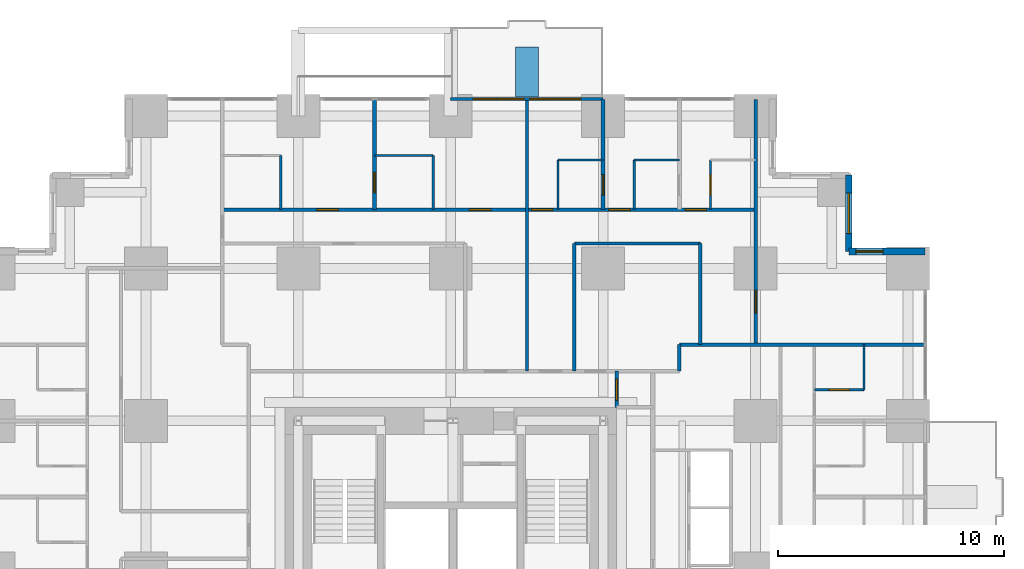
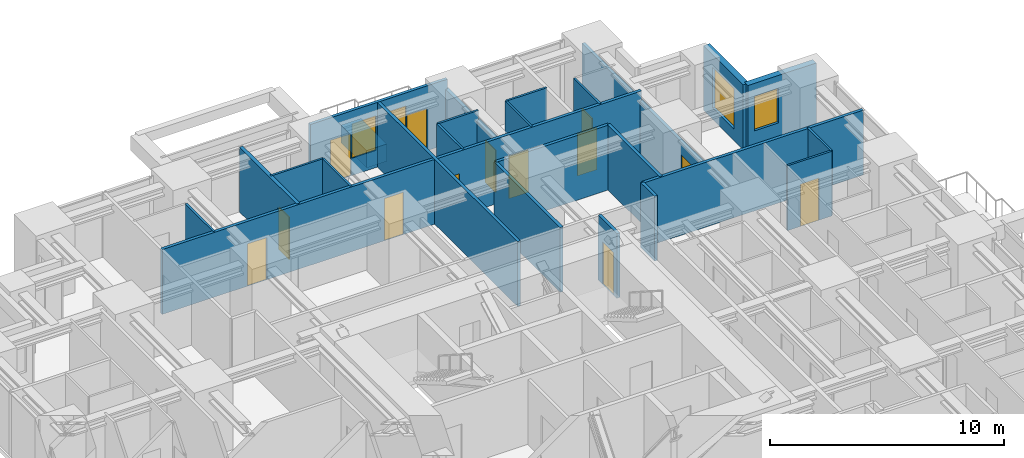
# One storey, part 13 of 15: 25 walls, 13 doors, 4 windows, 17 openings.
"""IFC4 building model written with IfcOpenShell, lengths in metres."""

from ifc_helpers import new_model, si_unit, direction, frame, frame_2d, origin, place, context, subcontext, project, spatial, rectangle, extrude, material, layer, layer_set, type_object, element, fill, save


model = new_model("IFC4")

# Units and contexts
model_context = context("Model", 3, precision=1e-05, world=origin(), true_north=direction((0.0, 1.0)))
body_context = subcontext(model_context, "Body", "Model", "MODEL_VIEW")
ifc_project = project(units=[si_unit("LENGTHUNIT", "METRE"), si_unit("AREAUNIT", "SQUARE_METRE"), si_unit("VOLUMEUNIT", "CUBIC_METRE"), si_unit("PLANEANGLEUNIT", "RADIAN"), si_unit("MASSUNIT", "GRAM", prefix="KILO")], contexts=[model_context])

# Site, building, storey
site_placement = place(None, origin())
site = spatial("IfcSite", under=ifc_project, at=site_placement, CompositionType="ELEMENT")
building_placement = place(site_placement, origin())
building = spatial("IfcBuilding", under=site, at=building_placement, Name="Nyansa Garden Tower", CompositionType="ELEMENT")
storey_placement = place(building_placement, frame((0.0, 0.0, 36.0)))
storey = spatial("IfcBuildingStorey", under=building, at=storey_placement, Name="L09", CompositionType="ELEMENT", Elevation=36.0)

# Wall, opening, door
ifc_material_1 = material(Name="Dense blockwork, plastered both sides, 55 dB", Category="masonry")
ifc_layer_1 = layer(ifc_material_1, 0.175048828125)
ifc_layer_set_1 = layer_set([ifc_layer_1], Name="Acoustic party wall PW175")
wall_type_1 = type_object("IfcWallType", Name="Acoustic party wall PW175", PredefinedType="PARTITIONING", material=ifc_layer_set_1)
wall_1_placement = place(storey_placement, frame((16.875, 36.35009765625, 0.0), z_axis=(0.0, 0.0, 1.0), x_axis=(0.0, 1.0, 0.0)))
wall_1 = element("IfcWall", 1, at=wall_1_placement, inside=storey, type_object=wall_type_1, Name="Party wall", PredefinedType="PARTITIONING", context=body_context, shape_type="SweptSolid", body=[
    extrude(rectangle(XDim=4.8837890625, YDim=0.175048828125, at=frame_2d((2.44189453125, 0.0))), origin(), (0.0, 0.0, 1.0), 3.375),
])
opening_1_placement = place(wall_1_placement, frame((0.75, 0.0, 0.0)))
opening_1 = element("IfcOpeningElement", 2, at=opening_1_placement, cuts=wall_1, Name="Opening D02", PredefinedType="OPENING", context=body_context, shape_type="SweptSolid", body=[
    extrude(rectangle(XDim=0.89990234375, YDim=2.199951171875, at=frame_2d((0.449951171875, 1.10009765625))), frame((0.0, 0.097412109375, 0.0), z_axis=(0.0, -1.0, 0.0), x_axis=(1.0, 0.0, 0.0)), (0.0, 0.0, 1.0), 0.195068359375),
])
ifc_material_2 = material(Name="Timber flush door", Category="wood")
door_type_1 = type_object("IfcDoorType", Name="En-suite door D02 900x2200", OperationType="SINGLE_SWING_RIGHT", PredefinedType="DOOR", material=ifc_material_2)
door_1_placement = place(opening_1_placement, origin())
door_1 = element("IfcDoor", 3, at=door_1_placement, inside=storey, type_object=door_type_1, Name="Door L09-065", OperationType="SINGLE_SWING_RIGHT", OverallHeight=2.199951171875, OverallWidth=0.89990234375, PredefinedType="DOOR", context=body_context, shape_type="SweptSolid", body=[
    extrude(rectangle(XDim=0.89990234375, YDim=2.199951171875, at=frame_2d((0.449951171875, 1.10009765625))), frame((0.0, 0.02490234375, 0.0), z_axis=(0.0, -1.0, 0.0), x_axis=(1.0, 0.0, 0.0)), (0.0, 0.0, 1.0), 0.050048828125),
])
fill(opening_1, door_1)

wall_2_placement = place(storey_placement, frame((27.0, 36.35009765625, 0.0), z_axis=(0.0, 0.0, 1.0), x_axis=(0.0, 1.0, 0.0)))
wall_2 = element("IfcWall", 4, at=wall_2_placement, inside=storey, type_object=wall_type_1, Name="Party wall", PredefinedType="PARTITIONING", context=body_context, shape_type="SweptSolid", body=[
    extrude(rectangle(XDim=4.8837890625, YDim=0.175048828125, at=frame_2d((2.44189453125, 0.0))), origin(), (0.0, 0.0, 1.0), 2.876953125),
])
opening_2_placement = place(wall_2_placement, frame((0.64990234375, 0.0, 0.0)))
opening_2 = element("IfcOpeningElement", 5, at=opening_2_placement, cuts=wall_2, Name="Opening D02", PredefinedType="OPENING", context=body_context, shape_type="SweptSolid", body=[
    extrude(rectangle(XDim=0.89990234375, YDim=2.199951171875, at=frame_2d((0.449951171875, 1.10009765625))), frame((0.0, 0.097412109375, 0.0), z_axis=(0.0, -1.0, 0.0), x_axis=(1.0, 0.0, 0.0)), (0.0, 0.0, 1.0), 0.195068359375),
])
door_2_placement = place(opening_2_placement, origin())
door_2 = element("IfcDoor", 6, at=door_2_placement, inside=storey, type_object=door_type_1, Name="Door L09-060", OperationType="SINGLE_SWING_RIGHT", OverallHeight=2.199951171875, OverallWidth=0.89990234375, PredefinedType="DOOR", context=body_context, shape_type="SweptSolid", body=[
    extrude(rectangle(XDim=0.89990234375, YDim=2.199951171875, at=frame_2d((0.449951171875, 1.10009765625))), frame((0.0, 0.02490234375, 0.0), z_axis=(0.0, -1.0, 0.0), x_axis=(1.0, 0.0, 0.0)), (0.0, 0.0, 1.0), 0.050048828125),
])
fill(opening_2, door_2)

# Wall, openings, doors, windows
ifc_material_3 = material(Name="Black aluminium framed glazed screen", Category="aluminium")
ifc_layer_2 = layer(ifc_material_3, 0.14990234375)
ifc_layer_set_2 = layer_set([ifc_layer_2], Name="Balcony screen wall BW150")
wall_type_2 = type_object("IfcWallType", Name="Balcony screen wall BW150", PredefinedType="SOLIDWALL", material=ifc_layer_set_2)
wall_3_placement = place(storey_placement, frame((20.25, 41.25, 0.0), z_axis=(0.0, 0.0, 1.0), x_axis=(1.0, 0.0, 0.0)))
wall_3 = element("IfcWall", 7, at=wall_3_placement, inside=storey, type_object=wall_type_2, Name="Glazed screen wall L09 N", PredefinedType="SOLIDWALL", context=body_context, shape_type="SweptSolid", body=[
    extrude(rectangle(XDim=6.75, YDim=0.14990234375, at=frame_2d((3.375, 0.0))), origin(), (0.0, 0.0, 1.0), 3.375),
])
opening_3_placement = place(wall_3_placement, frame((0.995849609375, 0.0, 0.0)))
opening_3 = element("IfcOpeningElement", 8, at=opening_3_placement, cuts=wall_3, Name="Opening D20", PredefinedType="OPENING", context=body_context, shape_type="SweptSolid", body=[
    extrude(rectangle(XDim=1.0, YDim=2.199951171875, at=frame_2d((0.5, 1.10009765625))), frame((0.0, 0.0849609375, 0.0), z_axis=(0.0, -1.0, 0.0), x_axis=(1.0, 0.0, 0.0)), (0.0, 0.0, 1.0), 0.169921875),
])
opening_4_placement = place(wall_3_placement, frame((2.041748046875, 0.0, 0.89990234375)))
opening_4 = element("IfcOpeningElement", 9, at=opening_4_placement, cuts=wall_3, Name="Opening W6", PredefinedType="OPENING", context=body_context, shape_type="SweptSolid", body=[
    extrude(rectangle(XDim=1.199951171875, YDim=1.800048828125, at=frame_2d((0.60009765625, 0.89990234375))), frame((0.0, 0.0849609375, 0.0), z_axis=(0.0, -1.0, 0.0), x_axis=(1.0, 0.0, 0.0)), (0.0, 0.0, 1.0), 0.169921875),
])
opening_5_placement = place(wall_3_placement, frame((4.754150390625, 0.0, 0.0)))
opening_5 = element("IfcOpeningElement", 10, at=opening_5_placement, cuts=wall_3, Name="Opening D20", PredefinedType="OPENING", context=body_context, shape_type="SweptSolid", body=[
    extrude(rectangle(XDim=1.0, YDim=2.199951171875, at=frame_2d((0.5, 1.10009765625))), frame((0.0, 0.0849609375, 0.0), z_axis=(0.0, -1.0, 0.0), x_axis=(1.0, 0.0, 0.0)), (0.0, 0.0, 1.0), 0.169921875),
])
opening_6_placement = place(wall_3_placement, frame((3.50830078125, 0.0, 0.89990234375)))
opening_6 = element("IfcOpeningElement", 11, at=opening_6_placement, cuts=wall_3, Name="Opening W6", PredefinedType="OPENING", context=body_context, shape_type="SweptSolid", body=[
    extrude(rectangle(XDim=1.199951171875, YDim=1.800048828125, at=frame_2d((0.60009765625, 0.89990234375))), frame((0.0, 0.0849609375, 0.0), z_axis=(0.0, -1.0, 0.0), x_axis=(1.0, 0.0, 0.0)), (0.0, 0.0, 1.0), 0.169921875),
])
ifc_material_4 = material(Name="Black aluminium framed glazed door", Category="aluminium")
door_type_2 = type_object("IfcDoorType", Name="Balcony door D20 1000x2200", OperationType="NOTDEFINED", PredefinedType="DOOR", material=ifc_material_4)
door_3_placement = place(opening_3_placement, origin())
door_3 = element("IfcDoor", 12, at=door_3_placement, inside=storey, type_object=door_type_2, Name="Balcony door L09", OperationType="SINGLE_SWING_LEFT", OverallHeight=2.199951171875, OverallWidth=1.0, PredefinedType="DOOR", context=body_context, shape_type="SweptSolid", body=[
    extrude(rectangle(XDim=1.0, YDim=2.199951171875, at=frame_2d((0.5, 1.10009765625))), frame((0.0, 0.02490234375, 0.0), z_axis=(0.0, -1.0, 0.0), x_axis=(1.0, 0.0, 0.0)), (0.0, 0.0, 1.0), 0.050048828125),
])
fill(opening_3, door_3)
door_4_placement = place(opening_5_placement, origin())
door_4 = element("IfcDoor", 13, at=door_4_placement, inside=storey, type_object=door_type_2, Name="Balcony door L09", OperationType="SINGLE_SWING_RIGHT", OverallHeight=2.199951171875, OverallWidth=1.0, PredefinedType="DOOR", context=body_context, shape_type="SweptSolid", body=[
    extrude(rectangle(XDim=1.0, YDim=2.199951171875, at=frame_2d((0.5, 1.10009765625))), frame((0.0, 0.02490234375, 0.0), z_axis=(0.0, -1.0, 0.0), x_axis=(1.0, 0.0, 0.0)), (0.0, 0.0, 1.0), 0.050048828125),
])
fill(opening_5, door_4)
ifc_material_5 = material(Name="Black aluminium frame, dark tinted double glazing", Category="aluminium")
window_type_1 = type_object("IfcWindowType", Name="Balcony window W6 1200x1800", PartitioningType="SINGLE_PANEL", PredefinedType="WINDOW", material=ifc_material_5)
window_1_placement = place(opening_4_placement, origin())
window_1 = element("IfcWindow", 14, at=window_1_placement, inside=storey, type_object=window_type_1, Name="Window L09", OverallHeight=1.800048828125, OverallWidth=1.199951171875, PartitioningType="SINGLE_PANEL", PredefinedType="WINDOW", context=body_context, shape_type="SweptSolid", body=[
    extrude(rectangle(XDim=1.199951171875, YDim=1.800048828125, at=frame_2d((0.60009765625, 0.89990234375))), frame((0.0, 0.030029296875, 0.0), z_axis=(0.0, -1.0, 0.0), x_axis=(1.0, 0.0, 0.0)), (0.0, 0.0, 1.0), 0.06005859375),
])
fill(opening_4, window_1)
window_2_placement = place(opening_6_placement, origin())
window_2 = element("IfcWindow", 15, at=window_2_placement, inside=storey, type_object=window_type_1, Name="Window L09", OverallHeight=1.800048828125, OverallWidth=1.199951171875, PartitioningType="SINGLE_PANEL", PredefinedType="WINDOW", context=body_context, shape_type="SweptSolid", body=[
    extrude(rectangle(XDim=1.199951171875, YDim=1.800048828125, at=frame_2d((0.60009765625, 0.89990234375))), frame((0.0, 0.030029296875, 0.0), z_axis=(0.0, -1.0, 0.0), x_axis=(1.0, 0.0, 0.0)), (0.0, 0.0, 1.0), 0.06005859375),
])
fill(opening_6, window_2)

# Wall, openings, doors
ifc_material_6 = material(Name="Blockwork, plastered both sides", Category="masonry")
ifc_layer_3 = layer(ifc_material_6, 0.14990234375)
ifc_layer_set_3 = layer_set([ifc_layer_3], Name="Partition PW150")
wall_type_3 = type_object("IfcWallType", Name="Partition PW150", PredefinedType="PARTITIONING", material=ifc_layer_set_3)
wall_4_placement = place(storey_placement, frame((10.125, 36.35009765625, 0.0), z_axis=(0.0, 0.0, 1.0), x_axis=(1.0, 0.0, 0.0)))
wall_4 = element("IfcWall", 16, at=wall_4_placement, inside=storey, type_object=wall_type_3, Name="Partition", PredefinedType="PARTITIONING", context=body_context, shape_type="SweptSolid", body=[
    extrude(rectangle(XDim=23.625, YDim=0.14990234375, at=frame_2d((11.8125, 0.0))), origin(), (0.0, 0.0, 1.0), 3.375),
])
opening_7_placement = place(wall_4_placement, frame((20.5, 0.0, 0.0)))
opening_7 = element("IfcOpeningElement", 17, at=opening_7_placement, cuts=wall_4, Name="Opening D01", PredefinedType="OPENING", context=body_context, shape_type="SweptSolid", body=[
    extrude(rectangle(XDim=0.949951171875, YDim=2.199951171875, at=frame_2d((0.47509765625, 1.10009765625))), frame((0.0, 0.0849609375, 0.0), z_axis=(0.0, -1.0, 0.0), x_axis=(1.0, 0.0, 0.0)), (0.0, 0.0, 1.0), 0.169921875),
])
opening_8_placement = place(wall_4_placement, frame((17.125, 0.0, 0.0)))
opening_8 = element("IfcOpeningElement", 18, at=opening_8_placement, cuts=wall_4, Name="Opening D01", PredefinedType="OPENING", context=body_context, shape_type="SweptSolid", body=[
    extrude(rectangle(XDim=0.949951171875, YDim=2.199951171875, at=frame_2d((0.47509765625, 1.10009765625))), frame((0.0, 0.0849609375, 0.0), z_axis=(0.0, -1.0, 0.0), x_axis=(1.0, 0.0, 0.0)), (0.0, 0.0, 1.0), 0.169921875),
])
opening_9_placement = place(wall_4_placement, frame((13.699951171875, 0.0, 0.0)))
opening_9 = element("IfcOpeningElement", 19, at=opening_9_placement, cuts=wall_4, Name="Opening D01", PredefinedType="OPENING", context=body_context, shape_type="SweptSolid", body=[
    extrude(rectangle(XDim=0.949951171875, YDim=2.199951171875, at=frame_2d((0.47509765625, 1.10009765625))), frame((0.0, 0.0849609375, 0.0), z_axis=(0.0, -1.0, 0.0), x_axis=(1.0, 0.0, 0.0)), (0.0, 0.0, 1.0), 0.169921875),
])
opening_10_placement = place(wall_4_placement, frame((4.199951171875, 0.0, 0.0)))
opening_10 = element("IfcOpeningElement", 20, at=opening_10_placement, cuts=wall_4, Name="Opening D14", PredefinedType="OPENING", context=body_context, shape_type="SweptSolid", body=[
    extrude(rectangle(XDim=0.949951171875, YDim=2.199951171875, at=frame_2d((0.47509765625, 1.10009765625))), frame((0.0, 0.0849609375, 0.0), z_axis=(0.0, -1.0, 0.0), x_axis=(1.0, 0.0, 0.0)), (0.0, 0.0, 1.0), 0.169921875),
])
opening_11_placement = place(wall_4_placement, frame((10.949951171875, 0.0, 0.0)))
opening_11 = element("IfcOpeningElement", 21, at=opening_11_placement, cuts=wall_4, Name="Opening D14", PredefinedType="OPENING", context=body_context, shape_type="SweptSolid", body=[
    extrude(rectangle(XDim=0.949951171875, YDim=2.199951171875, at=frame_2d((0.47509765625, 1.10009765625))), frame((0.0, 0.0849609375, 0.0), z_axis=(0.0, -1.0, 0.0), x_axis=(1.0, 0.0, 0.0)), (0.0, 0.0, 1.0), 0.169921875),
])
ifc_material_7 = material(Name="Timber flush door, 30 minute fire resisting", Category="wood")
door_type_3 = type_object("IfcDoorType", Name="Bedroom door D01 950x2200", OperationType="SINGLE_SWING_LEFT", PredefinedType="DOOR", material=ifc_material_7)
door_5_placement = place(opening_7_placement, origin())
door_5 = element("IfcDoor", 22, at=door_5_placement, inside=storey, type_object=door_type_3, Name="Door L09-055", OperationType="SINGLE_SWING_LEFT", OverallHeight=2.199951171875, OverallWidth=0.949951171875, PredefinedType="DOOR", context=body_context, shape_type="SweptSolid", body=[
    extrude(rectangle(XDim=0.949951171875, YDim=2.199951171875, at=frame_2d((0.47509765625, 1.10009765625))), frame((0.0, 0.02490234375, 0.0), z_axis=(0.0, -1.0, 0.0), x_axis=(1.0, 0.0, 0.0)), (0.0, 0.0, 1.0), 0.050048828125),
])
fill(opening_7, door_5)
door_6_placement = place(opening_8_placement, origin())
door_6 = element("IfcDoor", 23, at=door_6_placement, inside=storey, type_object=door_type_3, Name="Door L09-057", OperationType="SINGLE_SWING_LEFT", OverallHeight=2.199951171875, OverallWidth=0.949951171875, PredefinedType="DOOR", context=body_context, shape_type="SweptSolid", body=[
    extrude(rectangle(XDim=0.949951171875, YDim=2.199951171875, at=frame_2d((0.47509765625, 1.10009765625))), frame((0.0, 0.02490234375, 0.0), z_axis=(0.0, -1.0, 0.0), x_axis=(1.0, 0.0, 0.0)), (0.0, 0.0, 1.0), 0.050048828125),
])
fill(opening_8, door_6)
door_7_placement = place(opening_9_placement, origin())
door_7 = element("IfcDoor", 24, at=door_7_placement, inside=storey, type_object=door_type_3, Name="Door L09-059", OperationType="SINGLE_SWING_LEFT", OverallHeight=2.199951171875, OverallWidth=0.949951171875, PredefinedType="DOOR", context=body_context, shape_type="SweptSolid", body=[
    extrude(rectangle(XDim=0.949951171875, YDim=2.199951171875, at=frame_2d((0.47509765625, 1.10009765625))), frame((0.0, 0.02490234375, 0.0), z_axis=(0.0, -1.0, 0.0), x_axis=(1.0, 0.0, 0.0)), (0.0, 0.0, 1.0), 0.050048828125),
])
fill(opening_9, door_7)
ifc_material_8 = material(Name="Timber flush door, 60 minute fire resisting, self-closing", Category="wood")
door_type_4 = type_object("IfcDoorType", Name="Studio entrance door D14 950x2200", OperationType="SINGLE_SWING_LEFT", PredefinedType="DOOR", material=ifc_material_8)
door_8_placement = place(opening_10_placement, origin())
door_8 = element("IfcDoor", 25, at=door_8_placement, inside=storey, type_object=door_type_4, Name="Door L09-062", OperationType="SINGLE_SWING_LEFT", OverallHeight=2.199951171875, OverallWidth=0.949951171875, PredefinedType="DOOR", context=body_context, shape_type="SweptSolid", body=[
    extrude(rectangle(XDim=0.949951171875, YDim=2.199951171875, at=frame_2d((0.47509765625, 1.10009765625))), frame((0.0, 0.02490234375, 0.0), z_axis=(0.0, -1.0, 0.0), x_axis=(1.0, 0.0, 0.0)), (0.0, 0.0, 1.0), 0.050048828125),
])
fill(opening_10, door_8)
door_9_placement = place(opening_11_placement, origin())
door_9 = element("IfcDoor", 26, at=door_9_placement, inside=storey, type_object=door_type_4, Name="Door L09-064", OperationType="SINGLE_SWING_LEFT", OverallHeight=2.199951171875, OverallWidth=0.949951171875, PredefinedType="DOOR", context=body_context, shape_type="SweptSolid", body=[
    extrude(rectangle(XDim=0.949951171875, YDim=2.199951171875, at=frame_2d((0.47509765625, 1.10009765625))), frame((0.0, 0.02490234375, 0.0), z_axis=(0.0, -1.0, 0.0), x_axis=(1.0, 0.0, 0.0)), (0.0, 0.0, 1.0), 0.050048828125),
])
fill(opening_11, door_9)

# Walls
wall_5_placement = place(storey_placement, frame((23.625, 29.199951171875, 0.0), z_axis=(0.0, 0.0, 1.0), x_axis=(0.0, 1.0, 0.0)))
element("IfcWall", 27, at=wall_5_placement, inside=storey, type_object=wall_type_3, Name="Partition", PredefinedType="PARTITIONING", context=body_context, shape_type="SweptSolid", body=[
    extrude(rectangle(XDim=12.033935546875, YDim=0.14990234375, at=frame_2d((6.01708984375, 0.0))), origin(), (0.0, 0.0, 1.0), 3.375),
])
wall_6_placement = place(storey_placement, frame((25.72509765625, 29.199951171875, 0.0), z_axis=(0.0, 0.0, 1.0), x_axis=(0.0, 1.0, 0.0)))
element("IfcWall", 28, at=wall_6_placement, inside=storey, type_object=wall_type_3, Name="Partition", PredefinedType="PARTITIONING", context=body_context, shape_type="SweptSolid", body=[
    extrude(rectangle(XDim=5.650146484375, YDim=0.14990234375, at=frame_2d((2.8251953125, 0.0))), origin(), (0.0, 0.0, 1.0), 3.375),
])
wall_7_placement = place(storey_placement, frame((25.72509765625, 34.85009765625, 0.0), z_axis=(0.0, 0.0, 1.0), x_axis=(1.0, 0.0, 0.0)))
element("IfcWall", 29, at=wall_7_placement, inside=storey, type_object=wall_type_3, Name="Partition", PredefinedType="PARTITIONING", context=body_context, shape_type="SweptSolid", body=[
    extrude(rectangle(XDim=5.574951171875, YDim=0.14990234375, at=frame_2d((2.78759765625, 0.0))), origin(), (0.0, 0.0, 1.0), 3.375),
])

# Wall, opening, door
wall_8_placement = place(storey_placement, frame((27.60009765625, 27.60009765625, 0.0), z_axis=(0.0, 0.0, 1.0), x_axis=(0.0, 1.0, 0.0)))
wall_8 = element("IfcWall", 30, at=wall_8_placement, inside=storey, type_object=wall_type_3, Name="Partition", PredefinedType="PARTITIONING", context=body_context, shape_type="SweptSolid", body=[
    extrude(rectangle(XDim=1.599853515625, YDim=0.14990234375, at=frame_2d((0.7998046875, 0.0))), origin(), (0.0, 0.0, 1.0), 3.375),
])
opening_12_placement = place(wall_8_placement, frame((0.300048828125, 0.0, 0.0)))
opening_12 = element("IfcOpeningElement", 31, at=opening_12_placement, cuts=wall_8, Name="Opening D01", PredefinedType="OPENING", context=body_context, shape_type="SweptSolid", body=[
    extrude(rectangle(XDim=0.949951171875, YDim=2.199951171875, at=frame_2d((0.47509765625, 1.10009765625))), frame((0.0, 0.0849609375, 0.0), z_axis=(0.0, -1.0, 0.0), x_axis=(1.0, 0.0, 0.0)), (0.0, 0.0, 1.0), 0.169921875),
])
door_10_placement = place(opening_12_placement, origin())
door_10 = element("IfcDoor", 32, at=door_10_placement, inside=storey, type_object=door_type_3, Name="Door L09-017", OperationType="SINGLE_SWING_LEFT", OverallHeight=2.199951171875, OverallWidth=0.949951171875, PredefinedType="DOOR", context=body_context, shape_type="SweptSolid", body=[
    extrude(rectangle(XDim=0.949951171875, YDim=2.199951171875, at=frame_2d((0.47509765625, 1.10009765625))), frame((0.0, 0.02490234375, 0.0), z_axis=(0.0, -1.0, 0.0), x_axis=(1.0, 0.0, 0.0)), (0.0, 0.0, 1.0), 0.050048828125),
])
fill(opening_12, door_10)

# Walls
wall_9_placement = place(storey_placement, frame((30.375, 29.199951171875, 0.0), z_axis=(0.0, 0.0, 1.0), x_axis=(0.0, 1.0, 0.0)))
element("IfcWall", 33, at=wall_9_placement, inside=storey, type_object=wall_type_3, Name="Partition", PredefinedType="PARTITIONING", context=body_context, shape_type="SweptSolid", body=[
    extrude(rectangle(XDim=1.175048828125, YDim=0.14990234375, at=frame_2d((0.58740234375, 0.0))), origin(), (0.0, 0.0, 1.0), 3.375),
])
wall_10_placement = place(storey_placement, frame((30.375, 30.375, 0.0), z_axis=(0.0, 0.0, 1.0), x_axis=(1.0, 0.0, 0.0)))
element("IfcWall", 34, at=wall_10_placement, inside=storey, type_object=wall_type_3, Name="Partition", PredefinedType="PARTITIONING", context=body_context, shape_type="SweptSolid", body=[
    extrude(rectangle(XDim=10.85888671875, YDim=0.14990234375, at=frame_2d((5.429443359375, 0.0))), origin(), (0.0, 0.0, 1.0), 3.375),
])
wall_11_placement = place(storey_placement, frame((31.300048828125, 30.375, 0.0), z_axis=(0.0, 0.0, 1.0), x_axis=(0.0, 1.0, 0.0)))
element("IfcWall", 35, at=wall_11_placement, inside=storey, type_object=wall_type_3, Name="Partition", PredefinedType="PARTITIONING", context=body_context, shape_type="SweptSolid", body=[
    extrude(rectangle(XDim=4.47509765625, YDim=0.14990234375, at=frame_2d((2.237548828125, 0.0))), origin(), (0.0, 0.0, 1.0), 3.375),
])

# Wall, opening, door
wall_12_placement = place(storey_placement, frame((33.75, 30.375, 0.0), z_axis=(0.0, 0.0, 1.0), x_axis=(0.0, 1.0, 0.0)))
wall_12 = element("IfcWall", 36, at=wall_12_placement, inside=storey, type_object=wall_type_3, Name="Partition", PredefinedType="PARTITIONING", context=body_context, shape_type="SweptSolid", body=[
    extrude(rectangle(XDim=10.85888671875, YDim=0.14990234375, at=frame_2d((5.429443359375, 0.0))), origin(), (0.0, 0.0, 1.0), 2.876953125),
])
opening_13_placement = place(wall_12_placement, frame((1.39990234375, 0.0, 0.0)))
opening_13 = element("IfcOpeningElement", 37, at=opening_13_placement, cuts=wall_12, Name="Opening D03", PredefinedType="OPENING", context=body_context, shape_type="SweptSolid", body=[
    extrude(rectangle(XDim=1.0, YDim=2.199951171875, at=frame_2d((0.5, 1.10009765625))), frame((0.0, 0.0849609375, 0.0), z_axis=(0.0, -1.0, 0.0), x_axis=(1.0, 0.0, 0.0)), (0.0, 0.0, 1.0), 0.169921875),
])
ifc_material_9 = material(Name="Timber flush door, 60 minute fire resisting", Category="wood")
door_type_5 = type_object("IfcDoorType", Name="Cluster entrance door D03 1000x2200", OperationType="SINGLE_SWING_LEFT", PredefinedType="DOOR", material=ifc_material_9)
door_11_placement = place(opening_13_placement, origin())
door_11 = element("IfcDoor", 38, at=door_11_placement, inside=storey, type_object=door_type_5, Name="Door L09-054", OperationType="SINGLE_SWING_LEFT", OverallHeight=2.199951171875, OverallWidth=1.0, PredefinedType="DOOR", context=body_context, shape_type="SweptSolid", body=[
    extrude(rectangle(XDim=1.0, YDim=2.199951171875, at=frame_2d((0.5, 1.10009765625))), frame((0.0, 0.02490234375, 0.0), z_axis=(0.0, -1.0, 0.0), x_axis=(1.0, 0.0, 0.0)), (0.0, 0.0, 1.0), 0.050048828125),
])
fill(opening_13, door_11)

# Wall, opening, window
ifc_material_10 = material(Name="Turquoise glazed tile on concrete blockwork", Category="masonry")
ifc_layer_4 = layer(ifc_material_10, 0.300048828125)
ifc_layer_set_4 = layer_set([ifc_layer_4], Name="Tiled corner wall TW300")
wall_type_4 = type_object("IfcWallType", Name="Tiled corner wall TW300", PredefinedType="SOLIDWALL", material=ifc_layer_set_4)
wall_13_placement = place(storey_placement, frame((41.25, 34.5, 0.0), z_axis=(0.0, 0.0, 1.0), x_axis=(-1.0, 0.0, 0.0)))
wall_13 = element("IfcWall", 39, at=wall_13_placement, inside=storey, type_object=wall_type_4, Name="Tiled corner wall L09", PredefinedType="SOLIDWALL", context=body_context, shape_type="SweptSolid", body=[
    extrude(rectangle(XDim=3.375, YDim=0.300048828125, at=frame_2d((1.6875, 0.0))), origin(), (0.0, 0.0, 1.0), 3.375),
])
opening_14_placement = place(wall_13_placement, frame((1.857421875, 0.0, 0.89990234375)))
opening_14 = element("IfcOpeningElement", 40, at=opening_14_placement, cuts=wall_13, Name="Opening W4", PredefinedType="OPENING", context=body_context, shape_type="SweptSolid", body=[
    extrude(rectangle(XDim=1.199951171875, YDim=1.800048828125, at=frame_2d((0.60009765625, 0.89990234375))), frame((0.0, 0.159912109375, 0.0), z_axis=(0.0, -1.0, 0.0), x_axis=(1.0, 0.0, 0.0)), (0.0, 0.0, 1.0), 0.320068359375),
])
ifc_material_11 = material(Name="Black aluminium frame, dark tinted double glazing", Category="aluminium")
window_type_2 = type_object("IfcWindowType", Name="Window W4 1200x1800", PartitioningType="SINGLE_PANEL", PredefinedType="WINDOW", material=ifc_material_11)
window_3_placement = place(opening_14_placement, origin())
window_3 = element("IfcWindow", 41, at=window_3_placement, inside=storey, type_object=window_type_2, Name="Corner window L09", OverallHeight=1.800048828125, OverallWidth=1.199951171875, PartitioningType="SINGLE_PANEL", PredefinedType="WINDOW", context=body_context, shape_type="SweptSolid", body=[
    extrude(rectangle(XDim=1.199951171875, YDim=1.800048828125, at=frame_2d((0.60009765625, 0.89990234375))), frame((0.0, 0.030029296875, 0.0), z_axis=(0.0, -1.0, 0.0), x_axis=(1.0, 0.0, 0.0)), (0.0, 0.0, 1.0), 0.06005859375),
])
fill(opening_14, window_3)

wall_14_placement = place(storey_placement, frame((37.875, 34.5, 0.0), z_axis=(0.0, 0.0, 1.0), x_axis=(0.0, 1.0, 0.0)))
wall_14 = element("IfcWall", 42, at=wall_14_placement, inside=storey, type_object=wall_type_4, Name="Tiled corner wall L09", PredefinedType="SOLIDWALL", context=body_context, shape_type="SweptSolid", body=[
    extrude(rectangle(XDim=3.375, YDim=0.300048828125, at=frame_2d((1.6875, 0.0))), origin(), (0.0, 0.0, 1.0), 3.375),
])
opening_15_placement = place(wall_14_placement, frame((0.78759765625, 0.0, 0.60009765625)))
opening_15 = element("IfcOpeningElement", 43, at=opening_15_placement, cuts=wall_14, Name="Opening W2", PredefinedType="OPENING", context=body_context, shape_type="SweptSolid", body=[
    extrude(rectangle(XDim=1.800048828125, YDim=2.10009765625, at=frame_2d((0.89990234375, 1.050048828125))), frame((0.0, 0.159912109375, 0.0), z_axis=(0.0, -1.0, 0.0), x_axis=(1.0, 0.0, 0.0)), (0.0, 0.0, 1.0), 0.320068359375),
])
ifc_material_12 = material(Name="Black aluminium frame, dark tinted double glazing", Category="aluminium")
window_type_3 = type_object("IfcWindowType", Name="Window W2 1800x2100", PartitioningType="SINGLE_PANEL", PredefinedType="WINDOW", material=ifc_material_12)
window_4_placement = place(opening_15_placement, origin())
window_4 = element("IfcWindow", 44, at=window_4_placement, inside=storey, type_object=window_type_3, Name="Corner window L09", OverallHeight=2.10009765625, OverallWidth=1.800048828125, PartitioningType="SINGLE_PANEL", PredefinedType="WINDOW", context=body_context, shape_type="SweptSolid", body=[
    extrude(rectangle(XDim=1.800048828125, YDim=2.10009765625, at=frame_2d((0.89990234375, 1.050048828125))), frame((0.0, 0.030029296875, 0.0), z_axis=(0.0, -1.0, 0.0), x_axis=(1.0, 0.0, 0.0)), (0.0, 0.0, 1.0), 0.06005859375),
])
fill(opening_15, window_4)

# Walls
ifc_material_13 = material(Name="Concrete C40/50 planter, waterproofed", Category="concrete")
ifc_layer_5 = layer(ifc_material_13, 1.0)
ifc_layer_set_5 = layer_set([ifc_layer_5], Name="Tree planter TP1")
wall_type_5 = type_object("IfcWallType", Name="Tree planter TP1", PredefinedType="USERDEFINED", material=ifc_layer_set_5)
wall_15_placement = place(storey_placement, frame((23.625, 41.35009765625, 0.0), z_axis=(0.0, 0.0, 1.0), x_axis=(0.0, 1.0, 0.0)))
element("IfcWall", 45, at=wall_15_placement, inside=storey, type_object=wall_type_5, Name="Tree planter L09", ObjectType="TREE PLANTER", PredefinedType="USERDEFINED", context=body_context, shape_type="SweptSolid", body=[
    extrude(rectangle(XDim=2.199951171875, YDim=1.0, at=frame_2d((1.10009765625, 0.0))), origin(), (0.0, 0.0, 1.0), 0.89990234375),
])
ifc_material_14 = material(Name="Moisture resistant board on steel studs, tiled", Category="steel")
ifc_layer_6 = layer(ifc_material_14, 0.10009765625)
ifc_layer_set_6 = layer_set([ifc_layer_6], Name="Wet wall PW100")
wall_type_6 = type_object("IfcWallType", Name="Wet wall PW100", PredefinedType="PARTITIONING", material=ifc_layer_set_6)
wall_16_placement = place(storey_placement, frame((12.72509765625, 36.35009765625, 0.0), z_axis=(0.0, 0.0, 1.0), x_axis=(0.0, 1.0, 0.0)))
element("IfcWall", 46, at=wall_16_placement, inside=storey, type_object=wall_type_6, Name="Wet wall", PredefinedType="PARTITIONING", context=body_context, shape_type="SweptSolid", body=[
    extrude(rectangle(XDim=2.39990234375, YDim=0.10009765625, at=frame_2d((1.199951171875, 0.0))), origin(), (0.0, 0.0, 1.0), 3.375),
])
wall_17_placement = place(storey_placement, frame((16.875, 38.75, 0.0), z_axis=(0.0, 0.0, 1.0), x_axis=(1.0, 0.0, 0.0)))
element("IfcWall", 47, at=wall_17_placement, inside=storey, type_object=wall_type_6, Name="Wet wall", PredefinedType="PARTITIONING", context=body_context, shape_type="SweptSolid", body=[
    extrude(rectangle(XDim=2.60009765625, YDim=0.10009765625, at=frame_2d((1.300048828125, 0.0))), origin(), (0.0, 0.0, 1.0), 3.375),
])
wall_18_placement = place(storey_placement, frame((19.47509765625, 36.35009765625, 0.0), z_axis=(0.0, 0.0, 1.0), x_axis=(0.0, 1.0, 0.0)))
element("IfcWall", 48, at=wall_18_placement, inside=storey, type_object=wall_type_6, Name="Wet wall", PredefinedType="PARTITIONING", context=body_context, shape_type="SweptSolid", body=[
    extrude(rectangle(XDim=2.39990234375, YDim=0.10009765625, at=frame_2d((1.199951171875, 0.0))), origin(), (0.0, 0.0, 1.0), 3.375),
])
wall_19_placement = place(storey_placement, frame((25.0, 36.35009765625, 0.0), z_axis=(0.0, 0.0, 1.0), x_axis=(0.0, 1.0, 0.0)))
element("IfcWall", 49, at=wall_19_placement, inside=storey, type_object=wall_type_6, Name="Wet wall", PredefinedType="PARTITIONING", context=body_context, shape_type="SweptSolid", body=[
    extrude(rectangle(XDim=2.199951171875, YDim=0.10009765625, at=frame_2d((1.10009765625, 0.0))), origin(), (0.0, 0.0, 1.0), 3.375),
])
wall_20_placement = place(storey_placement, frame((25.0, 38.550048828125, 0.0), z_axis=(0.0, 0.0, 1.0), x_axis=(1.0, 0.0, 0.0)))
element("IfcWall", 50, at=wall_20_placement, inside=storey, type_object=wall_type_6, Name="Wet wall", PredefinedType="PARTITIONING", context=body_context, shape_type="SweptSolid", body=[
    extrude(rectangle(XDim=2.0, YDim=0.10009765625, at=frame_2d((1.0, 0.0))), origin(), (0.0, 0.0, 1.0), 3.375),
])
wall_21_placement = place(storey_placement, frame((28.375, 36.35009765625, 0.0), z_axis=(0.0, 0.0, 1.0), x_axis=(0.0, 1.0, 0.0)))
element("IfcWall", 51, at=wall_21_placement, inside=storey, type_object=wall_type_6, Name="Wet wall", PredefinedType="PARTITIONING", context=body_context, shape_type="SweptSolid", body=[
    extrude(rectangle(XDim=2.199951171875, YDim=0.10009765625, at=frame_2d((1.10009765625, 0.0))), origin(), (0.0, 0.0, 1.0), 3.375),
])
wall_22_placement = place(storey_placement, frame((28.375, 38.550048828125, 0.0), z_axis=(0.0, 0.0, 1.0), x_axis=(1.0, 0.0, 0.0)))
element("IfcWall", 52, at=wall_22_placement, inside=storey, type_object=wall_type_6, Name="Wet wall", PredefinedType="PARTITIONING", context=body_context, shape_type="SweptSolid", body=[
    extrude(rectangle(XDim=2.0, YDim=0.10009765625, at=frame_2d((1.0, 0.0))), origin(), (0.0, 0.0, 1.0), 3.375),
])

# Wall, opening, door
wall_23_placement = place(storey_placement, frame((31.75, 36.35009765625, 0.0), z_axis=(0.0, 0.0, 1.0), x_axis=(0.0, 1.0, 0.0)))
wall_23 = element("IfcWall", 53, at=wall_23_placement, inside=storey, type_object=wall_type_6, Name="Wet wall", PredefinedType="PARTITIONING", context=body_context, shape_type="SweptSolid", body=[
    extrude(rectangle(XDim=2.199951171875, YDim=0.10009765625, at=frame_2d((1.10009765625, 0.0))), origin(), (0.0, 0.0, 1.0), 3.375),
])
opening_16_placement = place(wall_23_placement, frame((0.64990234375, 0.0, 0.0)))
opening_16 = element("IfcOpeningElement", 54, at=opening_16_placement, cuts=wall_23, Name="Opening D02", PredefinedType="OPENING", context=body_context, shape_type="SweptSolid", body=[
    extrude(rectangle(XDim=0.89990234375, YDim=2.199951171875, at=frame_2d((0.449951171875, 1.10009765625))), frame((0.0, 0.06005859375, 0.0), z_axis=(0.0, -1.0, 0.0), x_axis=(1.0, 0.0, 0.0)), (0.0, 0.0, 1.0), 0.1201171875),
])
door_12_placement = place(opening_16_placement, origin())
door_12 = element("IfcDoor", 55, at=door_12_placement, inside=storey, type_object=door_type_1, Name="Door L09-056", OperationType="SINGLE_SWING_RIGHT", OverallHeight=2.199951171875, OverallWidth=0.89990234375, PredefinedType="DOOR", context=body_context, shape_type="SweptSolid", body=[
    extrude(rectangle(XDim=0.89990234375, YDim=2.199951171875, at=frame_2d((0.449951171875, 1.10009765625))), frame((0.0, 0.02490234375, 0.0), z_axis=(0.0, -1.0, 0.0), x_axis=(1.0, 0.0, 0.0)), (0.0, 0.0, 1.0), 0.050048828125),
])
fill(opening_16, door_12)

wall_24_placement = place(storey_placement, frame((36.35009765625, 28.375, 0.0), z_axis=(0.0, 0.0, 1.0), x_axis=(1.0, 0.0, 0.0)))
wall_24 = element("IfcWall", 56, at=wall_24_placement, inside=storey, type_object=wall_type_6, Name="Wet wall", PredefinedType="PARTITIONING", context=body_context, shape_type="SweptSolid", body=[
    extrude(rectangle(XDim=2.199951171875, YDim=0.10009765625, at=frame_2d((1.10009765625, 0.0))), origin(), (0.0, 0.0, 1.0), 3.375),
])
opening_17_placement = place(wall_24_placement, frame((0.64990234375, 0.0, 0.0)))
opening_17 = element("IfcOpeningElement", 57, at=opening_17_placement, cuts=wall_24, Name="Opening D02", PredefinedType="OPENING", context=body_context, shape_type="SweptSolid", body=[
    extrude(rectangle(XDim=0.89990234375, YDim=2.199951171875, at=frame_2d((0.449951171875, 1.10009765625))), frame((0.0, 0.06005859375, 0.0), z_axis=(0.0, -1.0, 0.0), x_axis=(1.0, 0.0, 0.0)), (0.0, 0.0, 1.0), 0.1201171875),
])
door_13_placement = place(opening_17_placement, origin())
door_13 = element("IfcDoor", 58, at=door_13_placement, inside=storey, type_object=door_type_1, Name="Door L09-050", OperationType="SINGLE_SWING_RIGHT", OverallHeight=2.199951171875, OverallWidth=0.89990234375, PredefinedType="DOOR", context=body_context, shape_type="SweptSolid", body=[
    extrude(rectangle(XDim=0.89990234375, YDim=2.199951171875, at=frame_2d((0.449951171875, 1.10009765625))), frame((0.0, 0.02490234375, 0.0), z_axis=(0.0, -1.0, 0.0), x_axis=(1.0, 0.0, 0.0)), (0.0, 0.0, 1.0), 0.050048828125),
])
fill(opening_17, door_13)

# Wall
wall_25_placement = place(storey_placement, frame((38.550048828125, 28.375, 0.0), z_axis=(0.0, 0.0, 1.0), x_axis=(0.0, 1.0, 0.0)))
element("IfcWall", 59, at=wall_25_placement, inside=storey, type_object=wall_type_6, Name="Wet wall", PredefinedType="PARTITIONING", context=body_context, shape_type="SweptSolid", body=[
    extrude(rectangle(XDim=2.0, YDim=0.10009765625, at=frame_2d((1.0, 0.0))), origin(), (0.0, 0.0, 1.0), 3.375),
])

save(model, "model.ifc")
